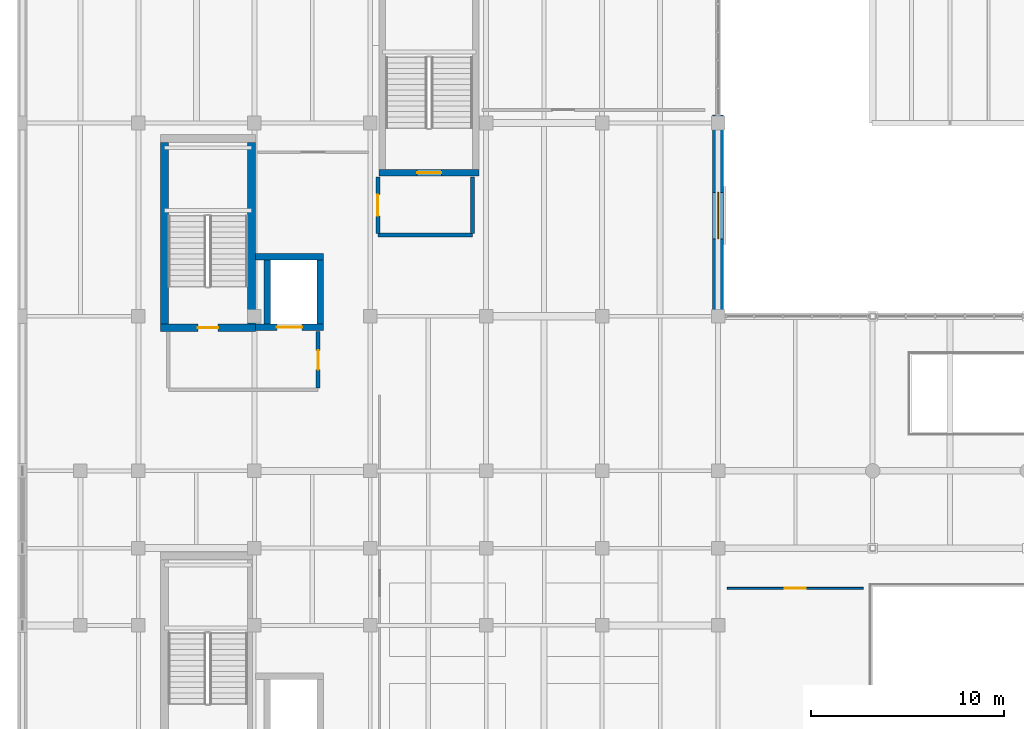
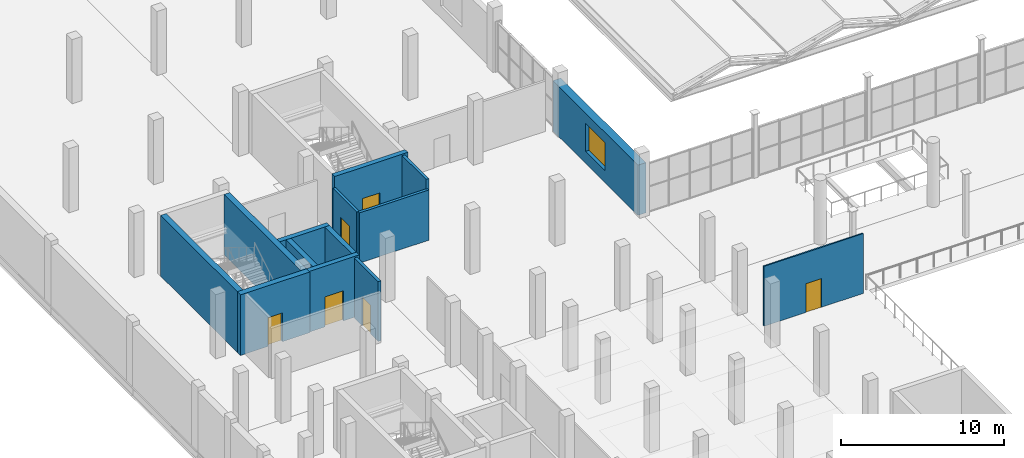
# One storey, part 99 of 114: 14 walls, 6 doors, 1 window, 7 openings.
"""IFC4 building model written with IfcOpenShell, lengths in metres."""

from ifc_helpers import new_model, si_unit, direction, frame, frame_2d, origin, place, context, subcontext, project, spatial, rectangle, extrude, material, layer, layer_set, type_object, element, fill, save


model = new_model("IFC4")

# Units and contexts
model_context = context("Model", 3, precision=1e-05, world=origin(), true_north=direction((0.0, 1.0)))
body_context = subcontext(model_context, "Body", "Model", "MODEL_VIEW")
ifc_project = project(units=[si_unit("LENGTHUNIT", "METRE"), si_unit("AREAUNIT", "SQUARE_METRE"), si_unit("VOLUMEUNIT", "CUBIC_METRE"), si_unit("PLANEANGLEUNIT", "RADIAN"), si_unit("MASSUNIT", "GRAM", prefix="KILO")], contexts=[model_context])

# Site, building, storey
site_placement = place(None, origin())
site = spatial("IfcSite", under=ifc_project, at=site_placement, CompositionType="ELEMENT")
building_placement = place(site_placement, origin())
building = spatial("IfcBuilding", under=site, at=building_placement, Name="Verrall Gate Interchange", CompositionType="ELEMENT")
storey_placement = place(building_placement, frame((0.0, 0.0, 6.60009765625)))
storey = spatial("IfcBuildingStorey", under=building, at=storey_placement, Name="L02", CompositionType="ELEMENT", Elevation=6.60009765625)

# Wall, opening, window
ifc_material_1 = material(Name="Tyndall Dolomitic Limestone Ashlar Cavity Assembly (U=0.18)", Category="masonry")
ifc_layer_1 = layer(ifc_material_1, 0.56005859375)
ifc_layer_set_1 = layer_set([ifc_layer_1], Name="Tyndall Dolomitic Limestone Ashlar Cavity Assembly (U=0.18)")
wall_type_1 = type_object("IfcWallType", Name="EW-04 Exterior Solid Wall 560", PredefinedType="SOLIDWALL", material=ifc_layer_set_1)
wall_1_placement = place(storey_placement, frame((36.0, 55.991943359375, 0.0), z_axis=(0.0, 0.0, 1.0), x_axis=(0.0, 1.0, 0.0)))
wall_1 = element("IfcWall", 1, at=wall_1_placement, inside=storey, type_object=wall_type_1, Name="L02 Classical Limestone Facade Wall 072", PredefinedType="SOLIDWALL", context=body_context, shape_type="SweptSolid", body=[
    extrude(rectangle(XDim=10.427978515625, YDim=0.56005859375, at=frame_2d((5.2138671875, 0.0))), origin(), (0.0, 0.0, 1.0), 3.7568359375),
])
opening_1_placement = place(wall_1_placement, frame((4.013916015625, 0.0, 0.89990234375)))
opening_1 = element("IfcOpeningElement", 2, at=opening_1_placement, cuts=wall_1, Name="Opening WN-15", PredefinedType="OPENING", context=body_context, shape_type="SweptSolid", body=[
    extrude(rectangle(XDim=2.39990234375, YDim=2.10009765625, at=frame_2d((1.199951171875, 1.050048828125))), frame((0.0, 0.294921875, 0.0), z_axis=(0.0, -1.0, 0.0), x_axis=(1.0, 0.0, 0.0)), (0.0, 0.0, 1.0), 0.58984375),
])
ifc_material_2 = material(Name="Triple-Glazed Low-E Argon Bronze-Clad Window Unit (U=1.40)", Category="glass")
window_type = type_object("IfcWindowType", Name="WN-15 Classical Deep-Reveal Window 2400x2100", PartitioningType="SINGLE_PANEL", PredefinedType="WINDOW", material=ifc_material_2)
window_placement = place(opening_1_placement, origin())
window = element("IfcWindow", 3, at=window_placement, inside=storey, type_object=window_type, Name="L02 Classical Window 030 (WN-15)", OverallHeight=2.10009765625, OverallWidth=2.39990234375, PartitioningType="SINGLE_PANEL", PredefinedType="WINDOW", context=body_context, shape_type="SweptSolid", body=[
    extrude(rectangle(XDim=2.39990234375, YDim=2.10009765625, at=frame_2d((1.199951171875, 1.050048828125))), frame((0.0, 0.030029296875, 0.0), z_axis=(0.0, -1.0, 0.0), x_axis=(1.0, 0.0, 0.0)), (0.0, 0.0, 1.0), 0.06005859375),
])
fill(opening_1, window)

# Wall, opening, door
ifc_material_3 = material(Name="Fire-Rated Type X Gypsum Stud Partition Assembly (60 min)", Category="gypsum")
ifc_layer_2 = layer(ifc_material_3, 0.199951171875)
ifc_layer_set_2 = layer_set([ifc_layer_2], Name="Fire-Rated Type X Gypsum Stud Partition Assembly (60 min)")
wall_type_2 = type_object("IfcWallType", Name="IW-01 Interior Partition Wall 200", PredefinedType="PARTITIONING", material=ifc_layer_set_2)
wall_2_placement = place(storey_placement, frame((15.300048828125, 52.280029296875, 0.0), z_axis=(0.0, 0.0, 1.0), x_axis=(0.0, 1.0, 0.0)))
wall_2 = element("IfcWall", 4, at=wall_2_placement, inside=storey, type_object=wall_type_2, Name="L02 Core C3 Lobby East Rated Wall", PredefinedType="PARTITIONING", context=body_context, shape_type="SweptSolid", body=[
    extrude(rectangle(XDim=2.919921875, YDim=0.199951171875, at=frame_2d((1.4599609375, 0.0))), origin(), (0.0, 0.0, 1.0), 4.47998046875),
])
opening_2_placement = place(wall_2_placement, frame((0.9599609375, 0.0, 0.0)))
opening_2 = element("IfcOpeningElement", 5, at=opening_2_placement, cuts=wall_2, Name="Opening LBD047", PredefinedType="OPENING", context=body_context, shape_type="SweptSolid", body=[
    extrude(rectangle(XDim=1.0, YDim=2.14990234375, at=frame_2d((0.5, 1.074951171875))), frame((0.0, 0.11474609375, 0.0), z_axis=(0.0, -1.0, 0.0), x_axis=(1.0, 0.0, 0.0)), (0.0, 0.0, 1.0), 0.229736328125),
])
ifc_material_4 = material(Name="Hollow-Metal Fire-Rated Door Assembly", Category="metal")
door_type_1 = type_object("IfcDoorType", Name="ID-05 Interior Swing Door 1000x2150", OperationType="NOTDEFINED", PredefinedType="DOOR", material=ifc_material_4)
door_1_placement = place(opening_2_placement, origin())
door_1 = element("IfcDoor", 6, at=door_1_placement, inside=storey, type_object=door_type_1, Name="L02 Core C3 Lobby Fire Door LBD047", OperationType="SINGLE_SWING_LEFT", OverallHeight=2.14990234375, OverallWidth=1.0, PredefinedType="DOOR", context=body_context, shape_type="SweptSolid", body=[
    extrude(rectangle(XDim=1.0, YDim=2.14990234375, at=frame_2d((0.5, 1.074951171875))), frame((0.0, 0.02490234375, 0.0), z_axis=(0.0, -1.0, 0.0), x_axis=(1.0, 0.0, 0.0)), (0.0, 0.0, 1.0), 0.050048828125),
])
fill(opening_2, door_1)

# Wall
wall_3_placement = place(storey_placement, frame((18.39990234375, 60.199951171875, 0.0), z_axis=(0.0, 0.0, 1.0), x_axis=(1.0, 0.0, 0.0)))
element("IfcWall", 7, at=wall_3_placement, inside=storey, type_object=wall_type_2, Name="L02 Core C4 Lobby South Rated Wall", PredefinedType="PARTITIONING", context=body_context, shape_type="SweptSolid", body=[
    extrude(rectangle(XDim=4.900146484375, YDim=0.199951171875, at=frame_2d((2.4501953125, 0.0))), origin(), (0.0, 0.0, 1.0), 3.7568359375),
])

# Wall, opening, door
wall_4_placement = place(storey_placement, frame((18.39990234375, 63.199951171875, 0.0), z_axis=(0.0, 0.0, 1.0), x_axis=(0.0, -1.0, 0.0)))
wall_4 = element("IfcWall", 8, at=wall_4_placement, inside=storey, type_object=wall_type_2, Name="L02 Core C4 Lobby West Rated Wall", PredefinedType="PARTITIONING", context=body_context, shape_type="SweptSolid", body=[
    extrude(rectangle(XDim=2.919921875, YDim=0.199951171875, at=frame_2d((1.4599609375, 0.0))), origin(), (0.0, 0.0, 1.0), 3.7568359375),
])
opening_3_placement = place(wall_4_placement, frame((0.909912109375, 0.0, 0.0)))
opening_3 = element("IfcOpeningElement", 9, at=opening_3_placement, cuts=wall_4, Name="Opening LBD060", PredefinedType="OPENING", context=body_context, shape_type="SweptSolid", body=[
    extrude(rectangle(XDim=1.10009765625, YDim=2.14990234375, at=frame_2d((0.550048828125, 1.074951171875))), frame((0.0, 0.11474609375, 0.0), z_axis=(0.0, -1.0, 0.0), x_axis=(1.0, 0.0, 0.0)), (0.0, 0.0, 1.0), 0.229736328125),
])
ifc_material_5 = material(Name="Hollow-Metal Fire-Rated Door Assembly", Category="metal")
door_type_2 = type_object("IfcDoorType", Name="ID-06 Interior Swing Door 1100x2150", OperationType="NOTDEFINED", PredefinedType="DOOR", material=ifc_material_5)
door_2_placement = place(opening_3_placement, origin())
door_2 = element("IfcDoor", 10, at=door_2_placement, inside=storey, type_object=door_type_2, Name="L02 Core C4 Lobby Fire Door LBD060", OperationType="SINGLE_SWING_RIGHT", OverallHeight=2.14990234375, OverallWidth=1.10009765625, PredefinedType="DOOR", context=body_context, shape_type="SweptSolid", body=[
    extrude(rectangle(XDim=1.10009765625, YDim=2.14990234375, at=frame_2d((0.550048828125, 1.074951171875))), frame((0.0, 0.02490234375, 0.0), z_axis=(0.0, -1.0, 0.0), x_axis=(1.0, 0.0, 0.0)), (0.0, 0.0, 1.0), 0.050048828125),
])
fill(opening_3, door_2)

# Wall
wall_5_placement = place(storey_placement, frame((23.300048828125, 60.280029296875, 0.0), z_axis=(0.0, 0.0, 1.0), x_axis=(0.0, 1.0, 0.0)))
element("IfcWall", 11, at=wall_5_placement, inside=storey, type_object=wall_type_2, Name="L02 Core C4 Lobby East Rated Wall", PredefinedType="PARTITIONING", context=body_context, shape_type="SweptSolid", body=[
    extrude(rectangle(XDim=2.919921875, YDim=0.199951171875, at=frame_2d((1.4599609375, 0.0))), origin(), (0.0, 0.0, 1.0), 4.47998046875),
])

# Wall, opening, door
ifc_material_6 = material(Name="Acoustic Steel-Stud Partition Assembly", Category="steel")
ifc_layer_3 = layer(ifc_material_6, 0.10009765625)
ifc_layer_set_3 = layer_set([ifc_layer_3], Name="Acoustic Steel-Stud Partition Assembly")
wall_type_3 = type_object("IfcWallType", Name="IW-05 Interior Partition Wall 100", PredefinedType="PARTITIONING", material=ifc_layer_set_3)
wall_6_placement = place(storey_placement, frame((36.47998046875, 41.919921875, 0.0), z_axis=(0.0, 0.0, 1.0), x_axis=(1.0, 0.0, 0.0)))
wall_6 = element("IfcWall", 12, at=wall_6_placement, inside=storey, type_object=wall_type_3, Name="L02 Mezzanine Waiting Salon and Espresso Bar Partition 037", PredefinedType="PARTITIONING", context=body_context, shape_type="SweptSolid", body=[
    extrude(rectangle(XDim=7.0400390625, YDim=0.10009765625, at=frame_2d((3.52001953125, 0.0))), origin(), (0.0, 0.0, 1.0), 4.47998046875),
])
opening_4_placement = place(wall_6_placement, frame((2.97998046875, 0.0, 0.0)))
opening_4 = element("IfcOpeningElement", 13, at=opening_4_placement, cuts=wall_6, Name="Opening D030", PredefinedType="OPENING", context=body_context, shape_type="SweptSolid", body=[
    extrude(rectangle(XDim=1.080078125, YDim=2.14990234375, at=frame_2d((0.5400390625, 1.074951171875))), frame((0.0, 0.06494140625, 0.0), z_axis=(0.0, -1.0, 0.0), x_axis=(1.0, 0.0, 0.0)), (0.0, 0.0, 1.0), 0.1298828125),
])
ifc_material_7 = material(Name="Architectural Solid-Core Birch Acoustic Door Assembly", Category="wood")
door_type_3 = type_object("IfcDoorType", Name="ID-13 Interior Swing Door 1080x2150", OperationType="NOTDEFINED", PredefinedType="DOOR", material=ifc_material_7)
door_3_placement = place(opening_4_placement, origin())
door_3 = element("IfcDoor", 14, at=door_3_placement, inside=storey, type_object=door_type_3, Name="L02 Mezzanine Waiting Salon and Espresso Bar Door D030", OperationType="SINGLE_SWING_LEFT", OverallHeight=2.14990234375, OverallWidth=1.080078125, PredefinedType="DOOR", context=body_context, shape_type="SweptSolid", body=[
    extrude(rectangle(XDim=1.080078125, YDim=2.14990234375, at=frame_2d((0.5400390625, 1.074951171875))), frame((0.0, 0.02490234375, 0.0), z_axis=(0.0, -1.0, 0.0), x_axis=(1.0, 0.0, 0.0)), (0.0, 0.0, 1.0), 0.050048828125),
])
fill(opening_4, door_3)

ifc_material_8 = material(Name="Concrete CSA A23.1 40 MPa (Class N)", Category="concrete")
ifc_layer_4 = layer(ifc_material_8, 0.39990234375)
ifc_layer_set_4 = layer_set([ifc_layer_4], Name="Concrete CSA A23.1 40 MPa (Class N)")
wall_type_4 = type_object("IfcWallType", Name="SW-01 Core Shear Wall 400", PredefinedType="SHEAR", material=ifc_layer_set_4)
wall_7_placement = place(storey_placement, frame((7.14990234375, 55.39990234375, 0.0), z_axis=(0.0, 0.0, 1.0), x_axis=(1.0, 0.0, 0.0)))
wall_7 = element("IfcWall", 15, at=wall_7_placement, inside=storey, type_object=wall_type_4, Name="L02 Core C3 South Shear Wall", PredefinedType="SHEAR", context=body_context, shape_type="SweptSolid", body=[
    extrude(rectangle(XDim=4.900146484375, YDim=0.39990234375, at=frame_2d((2.4501953125, 0.0))), origin(), (0.0, 0.0, 1.0), 4.539794921875),
])
opening_5_placement = place(wall_7_placement, frame((1.925048828125, 0.0, 0.0)))
opening_5 = element("IfcOpeningElement", 16, at=opening_5_placement, cuts=wall_7, Name="Opening SD040", PredefinedType="OPENING", context=body_context, shape_type="SweptSolid", body=[
    extrude(rectangle(XDim=1.050048828125, YDim=2.14990234375, at=frame_2d((0.52490234375, 1.074951171875))), frame((0.0, 0.21484375, 0.0), z_axis=(0.0, -1.0, 0.0), x_axis=(1.0, 0.0, 0.0)), (0.0, 0.0, 1.0), 0.4296875),
])
ifc_material_9 = material(Name="Hollow-Metal Fire-Rated Door Assembly", Category="metal")
door_type_4 = type_object("IfcDoorType", Name="ID-01 Interior Swing Door 1050x2150", OperationType="NOTDEFINED", PredefinedType="DOOR", material=ifc_material_9)
door_4_placement = place(opening_5_placement, origin())
door_4 = element("IfcDoor", 17, at=door_4_placement, inside=storey, type_object=door_type_4, Name="L02 Stair ST-03 Fire Door SD040", OperationType="SINGLE_SWING_RIGHT", OverallHeight=2.14990234375, OverallWidth=1.050048828125, PredefinedType="DOOR", context=body_context, shape_type="SweptSolid", body=[
    extrude(rectangle(XDim=1.050048828125, YDim=2.14990234375, at=frame_2d((0.52490234375, 1.074951171875))), frame((0.0, 0.02490234375, 0.0), z_axis=(0.0, -1.0, 0.0), x_axis=(1.0, 0.0, 0.0)), (0.0, 0.0, 1.0), 0.050048828125),
])
fill(opening_5, door_4)

# Walls
for number, where, z_axis, x_axis, name in (
    (18, (7.35009765625, 65.0, 0.0), (0.0, 0.0, 1.0), (0.0, -1.0, 0.0), "L02 Core C3 West Shear Wall"),
    (19, (11.85009765625, 55.60009765625, 0.0), (0.0, 0.0, 1.0), (0.0, 1.0, 0.0), "L02 Core C3 East Shear Wall"),
):
    element("IfcWall", number, at=place(storey_placement, frame(where, z_axis=z_axis, x_axis=x_axis)), inside=storey, type_object=wall_type_4, Name=name, PredefinedType="SHEAR", context=body_context, shape_type="SweptSolid", body=[
        extrude(rectangle(XDim=9.39990234375, YDim=0.39990234375, at=frame_2d((4.699951171875, 0.0))), origin(), (0.0, 0.0, 1.0), 4.539794921875),
    ])

# Wall, opening, door
ifc_material_10 = material(Name="Concrete CSA A23.1 40 MPa (Class N)", Category="concrete")
ifc_layer_5 = layer(ifc_material_10, 0.340087890625)
ifc_layer_set_5 = layer_set([ifc_layer_5], Name="Concrete CSA A23.1 40 MPa (Class N)")
wall_type_5 = type_object("IfcWallType", Name="SW-02 Core Shear Wall 340", PredefinedType="SHEAR", material=ifc_layer_set_5)
wall_8_placement = place(storey_placement, frame((12.050048828125, 55.429931640625, 0.0), z_axis=(0.0, 0.0, 1.0), x_axis=(1.0, 0.0, 0.0)))
wall_8 = element("IfcWall", 20, at=wall_8_placement, inside=storey, type_object=wall_type_5, Name="L02 Elevator EL-08 South Shaft Wall", PredefinedType="SHEAR", context=body_context, shape_type="SweptSolid", body=[
    extrude(rectangle(XDim=3.5400390625, YDim=0.340087890625, at=frame_2d((1.77001953125, 0.0))), origin(), (0.0, 0.0, 1.0), 4.539794921875),
])
opening_6_placement = place(wall_8_placement, frame((1.1201171875, 0.0, 0.0)))
opening_6 = element("IfcOpeningElement", 21, at=opening_6_placement, cuts=wall_8, Name="Opening LD-08-L02", PredefinedType="OPENING", context=body_context, shape_type="SweptSolid", body=[
    extrude(rectangle(XDim=1.300048828125, YDim=2.25, at=frame_2d((0.64990234375, 1.125))), frame((0.0, 0.18505859375, 0.0), z_axis=(0.0, -1.0, 0.0), x_axis=(1.0, 0.0, 0.0)), (0.0, 0.0, 1.0), 0.369873046875),
])
ifc_material_11 = material(Name="Stainless-Steel Elevator Landing Sliding Door Assembly", Category="steel")
door_type_5 = type_object("IfcDoorType", Name="LD-03 Elevator Sliding Landing Door 1300x2250", OperationType="NOTDEFINED", PredefinedType="DOOR", material=ifc_material_11)
door_5_placement = place(opening_6_placement, origin())
door_5 = element("IfcDoor", 22, at=door_5_placement, inside=storey, type_object=door_type_5, Name="L02 Elevator EL-08 Sliding Landing Door", OperationType="DOUBLE_DOOR_SLIDING", OverallHeight=2.25, OverallWidth=1.300048828125, PredefinedType="DOOR", context=body_context, shape_type="SweptSolid", body=[
    extrude(rectangle(XDim=1.300048828125, YDim=2.25, at=frame_2d((0.64990234375, 1.125))), frame((0.0, 0.02490234375, 0.0), z_axis=(0.0, -1.0, 0.0), x_axis=(1.0, 0.0, 0.0)), (0.0, 0.0, 1.0), 0.050048828125),
])
fill(opening_6, door_5)

# Walls
wall_9_placement = place(storey_placement, frame((15.590087890625, 59.070068359375, 0.0), z_axis=(0.0, 0.0, 1.0), x_axis=(-1.0, 0.0, 0.0)))
element("IfcWall", 23, at=wall_9_placement, inside=storey, type_object=wall_type_5, Name="L02 Elevator EL-08 North Shaft Wall", PredefinedType="SHEAR", context=body_context, shape_type="SweptSolid", body=[
    extrude(rectangle(XDim=3.5400390625, YDim=0.340087890625, at=frame_2d((1.77001953125, 0.0))), origin(), (0.0, 0.0, 1.0), 4.539794921875),
])
for number, where, z_axis, x_axis, name in (
    (24, (12.679931640625, 58.89990234375, 0.0), (0.0, 0.0, 1.0), (0.0, -1.0, 0.0), "L02 Elevator EL-08 West Shaft Wall"),
    (25, (15.419921875, 55.60009765625, 0.0), (0.0, 0.0, 1.0), (0.0, 1.0, 0.0), "L02 Elevator EL-08 East Shaft Wall"),
):
    element("IfcWall", number, at=place(storey_placement, frame(where, z_axis=z_axis, x_axis=x_axis)), inside=storey, type_object=wall_type_5, Name=name, PredefinedType="SHEAR", context=body_context, shape_type="SweptSolid", body=[
        extrude(rectangle(XDim=3.2998046875, YDim=0.340087890625, at=frame_2d((1.64990234375, 0.0))), origin(), (0.0, 0.0, 1.0), 4.539794921875),
    ])

# Wall, opening, door
wall_10_placement = place(storey_placement, frame((18.4599609375, 63.429931640625, 0.0), z_axis=(0.0, 0.0, 1.0), x_axis=(1.0, 0.0, 0.0)))
wall_10 = element("IfcWall", 26, at=wall_10_placement, inside=storey, type_object=wall_type_5, Name="L02 Core C4 South Shear Wall", PredefinedType="SHEAR", context=body_context, shape_type="SweptSolid", body=[
    extrude(rectangle(XDim=5.179931640625, YDim=0.340087890625, at=frame_2d((2.58984375, 0.0))), origin(), (0.0, 0.0, 1.0), 4.539794921875),
])
opening_7_placement = place(wall_10_placement, frame((1.965087890625, 0.0, 0.0)))
opening_7 = element("IfcOpeningElement", 27, at=opening_7_placement, cuts=wall_10, Name="Opening SD054", PredefinedType="OPENING", context=body_context, shape_type="SweptSolid", body=[
    extrude(rectangle(XDim=1.25, YDim=2.199951171875, at=frame_2d((0.625, 1.10009765625))), frame((0.0, 0.18505859375, 0.0), z_axis=(0.0, -1.0, 0.0), x_axis=(1.0, 0.0, 0.0)), (0.0, 0.0, 1.0), 0.369873046875),
])
ifc_material_12 = material(Name="Hollow-Metal Fire-Rated Door Assembly", Category="metal")
door_type_6 = type_object("IfcDoorType", Name="ID-03 Interior Swing Door 1250x2200", OperationType="NOTDEFINED", PredefinedType="DOOR", material=ifc_material_12)
door_6_placement = place(opening_7_placement, origin())
door_6 = element("IfcDoor", 28, at=door_6_placement, inside=storey, type_object=door_type_6, Name="L02 Stair ST-04 Fire Door SD054", OperationType="SINGLE_SWING_RIGHT", OverallHeight=2.199951171875, OverallWidth=1.25, PredefinedType="DOOR", context=body_context, shape_type="SweptSolid", body=[
    extrude(rectangle(XDim=1.25, YDim=2.199951171875, at=frame_2d((0.625, 1.10009765625))), frame((0.0, 0.02490234375, 0.0), z_axis=(0.0, -1.0, 0.0), x_axis=(1.0, 0.0, 0.0)), (0.0, 0.0, 1.0), 0.050048828125),
])
fill(opening_7, door_6)

save(model, "model.ifc")
